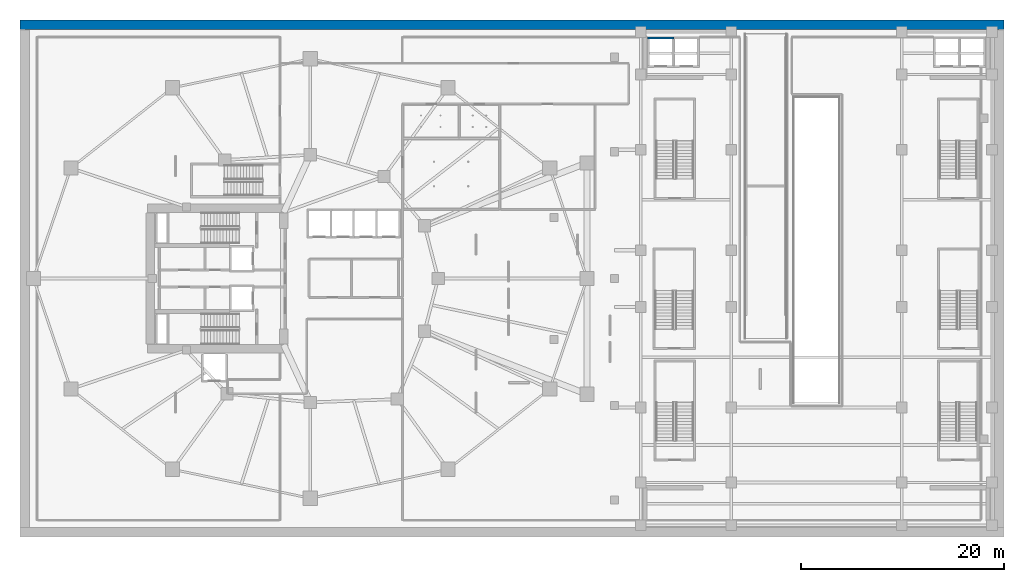
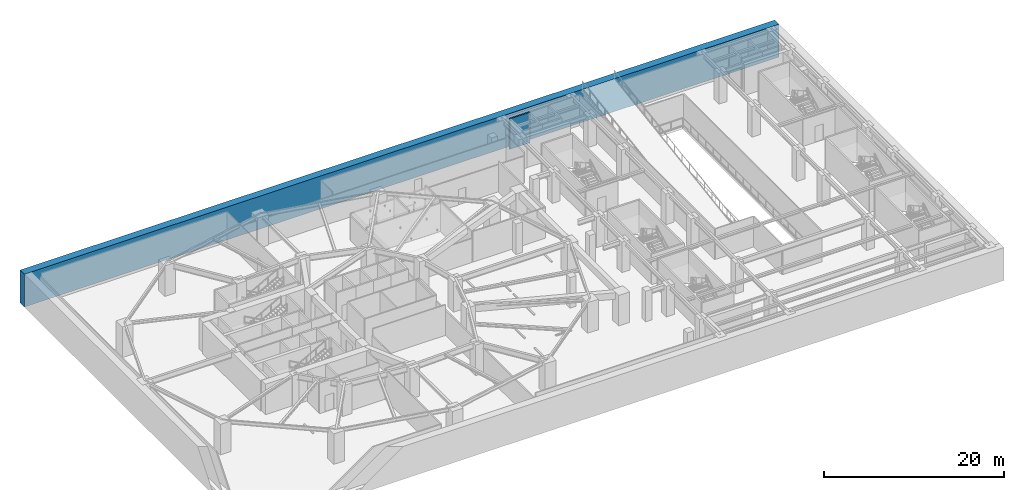
# One storey, part 8 of 16: 2 walls.
"""IFC4 building model written with IfcOpenShell, lengths in metres."""

import ifcopenshell
import ifcopenshell.guid

model = None  # the IFC model being written
_history = None  # IfcOwnerHistory: only IFC2X3 demands one
_inside = {}  # id of a spatial element -> (the spatial element, [elements in it])
_under = {}  # id of a project, library or spatial element -> (it, [spatial elements below it])
_declared = {}  # id of a project -> (the project, [libraries it declares])
_typed = {}  # id of a type object -> (the type object, [elements of that type])
_made_of = {}  # id of a material, layer set ... -> (it, [elements and type objects made of it])


def new_model(schema):
    """Start an empty IFC model of exactly this schema.

    Asked for "IFC4X3", IfcOpenShell would pick the latest addendum, in which some entities
    have other attributes; the version numbers below select the first issue.
    IFC2X3 requires an IfcOwnerHistory on every rooted entity: one is made here for all.
    """
    global model, _history
    if schema == "IFC4X3":
        model = ifcopenshell.file(schema_version=(4, 3, 0, 0))
    else:
        model = ifcopenshell.file(schema=schema)
    _inside.clear()
    _under.clear()
    _declared.clear()
    _typed.clear()
    _made_of.clear()
    _history = None
    if model.schema == "IFC2X3":
        org = make("IfcOrganization", Name="unknown")
        user = make(
            "IfcPersonAndOrganization",
            ThePerson=make("IfcPerson", FamilyName="unknown"),
            TheOrganization=org,
        )
        app = make(
            "IfcApplication",
            ApplicationDeveloper=org,
            Version="unknown",
            ApplicationFullName="unknown",
            ApplicationIdentifier="unknown",
        )
        _history = make(
            "IfcOwnerHistory",
            OwningUser=user,
            OwningApplication=app,
            ChangeAction="ADDED",
            CreationDate=0,
        )
    return model


def make(cls, **values):
    """One entity of the class cls with the attributes given. An attribute that is None is left unset."""
    return model.create_entity(
        cls, **{name: value for name, value in values.items() if value is not None}
    )


def rooted(cls, **values):
    """An entity with a GlobalId (a new one), such as an element, a storey or a relation."""
    return make(cls, GlobalId=ifcopenshell.guid.new(), OwnerHistory=_history, **values)


def si_unit(unit_type, name, prefix=None):
    """IfcSIUnit, for example si_unit("LENGTHUNIT", "METRE", prefix="MILLI")."""
    return make("IfcSIUnit", UnitType=unit_type, Prefix=prefix, Name=name)


def assignment(units):
    """IfcUnitAssignment: the units of a project."""
    return None if units is None else make("IfcUnitAssignment", Units=units)


def point(xyz):
    """IfcCartesianPoint."""
    return None if xyz is None else make("IfcCartesianPoint", Coordinates=xyz)


def direction(xyz):
    """IfcDirection."""
    return None if xyz is None else make("IfcDirection", DirectionRatios=xyz)


def frame(location, z_axis=None, x_axis=None):
    """IfcAxis2Placement3D, a coordinate frame: its origin and axes. An axis left out is left unset."""
    return make(
        "IfcAxis2Placement3D",
        Location=point(location),
        Axis=direction(z_axis),
        RefDirection=direction(x_axis),
    )


def frame_2d(location, x_axis=None):
    """IfcAxis2Placement2D, a coordinate frame in the plane: its origin and x axis."""
    return make(
        "IfcAxis2Placement2D", Location=point(location), RefDirection=direction(x_axis)
    )


def origin():
    """The frame at (0, 0, 0) with its axes left unset."""
    return frame((0.0, 0.0, 0.0))


def place(relative_to, where):
    """IfcLocalPlacement: puts the frame where relative to a parent placement (None: the world)."""
    return make(
        "IfcLocalPlacement", PlacementRelTo=relative_to, RelativePlacement=where
    )


def context(
    kind, dimensions, precision=None, world=None, true_north=None, identifier=None
):
    """IfcGeometricRepresentationContext, for example the 3D "Model" context."""
    return make(
        "IfcGeometricRepresentationContext",
        ContextIdentifier=identifier,
        ContextType=kind,
        CoordinateSpaceDimension=dimensions,
        Precision=precision,
        WorldCoordinateSystem=world,
        TrueNorth=true_north,
    )


def subcontext(parent, identifier, kind, view, scale=None):
    """IfcGeometricRepresentationSubContext, for example "Body" below "Model"."""
    return make(
        "IfcGeometricRepresentationSubContext",
        ContextIdentifier=identifier,
        ContextType=kind,
        ParentContext=parent,
        TargetScale=scale,
        TargetView=view,
    )


def project(units=None, contexts=None):
    """IfcProject with its units and contexts."""
    return rooted(
        "IfcProject",
        Name="project",
        RepresentationContexts=contexts,
        UnitsInContext=assignment(units),
    )


def spatial(cls, under=None, at=None, **own):
    """A site, building, storey or space (cls), placed at a placement, below another one or the project."""
    s = rooted(cls, ObjectPlacement=at, **own)
    if under is not None:
        _under.setdefault(under.id(), (under, []))[1].append(s)
    return s


def profile(cls, at=None, kind="AREA", **sizes):
    """A parametric profile (cls). Its sizes go by their IFC names, for example OverallWidth=200.0."""
    return make(cls, ProfileType=kind, Position=at, **sizes)


def rectangle(**sizes):
    """IfcRectangleProfileDef."""
    return profile("IfcRectangleProfileDef", **sizes)


def extrude(swept, where, along, depth):
    """IfcExtrudedAreaSolid: the profile swept, set in the frame where, extruded along a direction by depth."""
    return make(
        "IfcExtrudedAreaSolid",
        SweptArea=swept,
        Position=where,
        ExtrudedDirection=direction(along),
        Depth=depth,
    )


def shape(context_of_items, identifier, shape_type, items):
    """IfcShapeRepresentation: the items that make up one representation, for example the "Body"."""
    return make(
        "IfcShapeRepresentation",
        ContextOfItems=context_of_items,
        RepresentationIdentifier=identifier,
        RepresentationType=shape_type,
        Items=items,
    )


def material(Name=None, Category=None):
    """IfcMaterial."""
    return make("IfcMaterial", Name=Name, Category=Category)


def layer(
    of_material, thickness, ventilated=None, Name=None, Category=None, Priority=None
):
    """IfcMaterialLayer: one layer of a wall or slab, of a material (None: an air gap)."""
    return make(
        "IfcMaterialLayer",
        Material=of_material,
        LayerThickness=thickness,
        IsVentilated=ventilated,
        Name=Name,
        Category=Category,
        Priority=Priority,
    )


def layer_set(layers, Name=None):
    """IfcMaterialLayerSet."""
    return make("IfcMaterialLayerSet", MaterialLayers=layers, LayerSetName=Name)


def made_of(thing, what):
    """Note that an element or type object is made of a material, layer set ...; save() writes the relation."""
    if what is not None:
        _made_of.setdefault(what.id(), (what, []))[1].append(thing)
    return thing


def type_object(cls, material=None, **own):
    """A type object (cls), such as IfcWallType, which elements share."""
    return made_of(rooted(cls, **own), material)


def element(
    cls,
    number,
    at=None,
    inside=None,
    cuts=None,
    type_object=None,
    material=None,
    context=None,
    identifier="Body",
    shape_type=None,
    held_by="IfcProductDefinitionShape",
    body=None,
    shapes=None,
    **own,
):
    """One element of the class cls, such as IfcWall. Its Tag is "e" and its number.

    at: its placement. inside: the storey or other place that contains it. cuts: it is an
    opening in that element (IfcRelVoidsElement). A single representation is given by context,
    identifier, shape_type and body (its items); several are given by shapes. held_by: the class
    of the entity that holds the representations. save() writes the other relations.
    """
    e = rooted(cls, Tag="e%d" % number, ObjectPlacement=at, **own)
    if body is not None:
        shapes = [shape(context, identifier, shape_type, body)]
    if shapes is not None:
        e.Representation = make(held_by, Representations=shapes)
    if inside is not None:
        _inside.setdefault(inside.id(), (inside, []))[1].append(e)
    if cuts is not None:
        rooted(
            "IfcRelVoidsElement", RelatingBuildingElement=cuts, RelatedOpeningElement=e
        )
    if type_object is not None:
        _typed.setdefault(type_object.id(), (type_object, []))[1].append(e)
    return made_of(e, material)


def aggregate(whole, parts):
    """IfcRelAggregates: a whole, such as a stair, and the parts it consists of."""
    return rooted("IfcRelAggregates", RelatingObject=whole, RelatedObjects=parts)


def save(model, path):
    """Write the relations noted so far, then the file.

    IfcRelAggregates (storeys below a building ...), IfcRelContainedInSpatialStructure (elements
    in a storey), IfcRelDefinesByType, IfcRelAssociatesMaterial and IfcRelDeclares: one each for
    every whole, place, type object, material and project.
    """
    for whole, parts in _under.values():
        aggregate(whole, parts)
    for where, things in _inside.values():
        rooted(
            "IfcRelContainedInSpatialStructure",
            RelatedElements=things,
            RelatingStructure=where,
        )
    for kind, things in _typed.values():
        rooted("IfcRelDefinesByType", RelatedObjects=things, RelatingType=kind)
    for what, things in _made_of.values():
        rooted("IfcRelAssociatesMaterial", RelatedObjects=things, RelatingMaterial=what)
    for by, libraries in _declared.values():
        rooted("IfcRelDeclares", RelatingContext=by, RelatedDefinitions=libraries)
    model.write(path)


model = new_model("IFC4")

# Units and contexts
model_context = context("Model", 3, precision=1e-05, world=origin(), true_north=direction((0.0, 1.0)))
body_context = subcontext(model_context, "Body", "Model", "MODEL_VIEW")
ifc_project = project(units=[si_unit("LENGTHUNIT", "METRE"), si_unit("AREAUNIT", "SQUARE_METRE"), si_unit("VOLUMEUNIT", "CUBIC_METRE"), si_unit("PLANEANGLEUNIT", "RADIAN"), si_unit("MASSUNIT", "GRAM", prefix="KILO")], contexts=[model_context])

# Site, building, storey
site_placement = place(None, origin())
site = spatial("IfcSite", under=ifc_project, at=site_placement, CompositionType="ELEMENT")
building_placement = place(site_placement, origin())
building = spatial("IfcBuilding", under=site, at=building_placement, Name="Kolvaren Gate Tower and Convention Centre", CompositionType="ELEMENT")
storey_placement = place(building_placement, frame((0.0, 0.0, -4.5)))
storey = spatial("IfcBuildingStorey", under=building, at=storey_placement, Name="B1", CompositionType="ELEMENT", Elevation=-4.5)

# Walls
ifc_material_1 = material(Name="Autoclaved Aerated Masonry Blockwork Class 4 (4.0 MPa)", Category="masonry")
ifc_layer_1 = layer(ifc_material_1, 0.199951171875)
ifc_layer_set_1 = layer_set([ifc_layer_1], Name="Autoclaved Aerated Masonry Blockwork Class 4 (4.0 MPa)")
wall_type_1 = type_object("IfcWallType", Name="ARCH-WL-SHAFT-200", PredefinedType="SOLIDWALL", material=ifc_layer_set_1)
wall_1_placement = place(storey_placement, frame((63.35009765625, 50.699951171875, 0.0), z_axis=(0.0, 0.0, 1.0), x_axis=(1.0, 0.0, 0.0)))
element("IfcWall", 1, at=wall_1_placement, inside=storey, type_object=wall_type_1, Name="Elevator CL-01 B1 Fire Shaft Wall N", PredefinedType="SOLIDWALL", context=body_context, shape_type="SweptSolid", body=[
    extrude(rectangle(XDim=2.599853515625, YDim=0.199951171875, at=frame_2d((1.2998046875, 0.0))), origin(), (0.0, 0.0, 1.0), 4.139892578125),
])
ifc_material_2 = material(Name="Concrete C50/60", Category="concrete")
ifc_layer_2 = layer(ifc_material_2, 0.949951171875)
ifc_layer_set_2 = layer_set([ifc_layer_2], Name="Concrete C50/60")
wall_type_2 = type_object("IfcWallType", Name="STR-WL-DIAPH-950", PredefinedType="USERDEFINED", material=ifc_layer_set_2)
wall_2_placement = place(storey_placement, frame((1.52490234375, 52.0, -0.320068359375), z_axis=(0.0, 0.0, 1.0), x_axis=(1.0, 0.0, 0.0)))
element("IfcWall", 2, at=wall_2_placement, inside=storey, type_object=wall_type_2, Name="Basement B1 N Perimeter Diaphragm Wall", ObjectType="RETAINING WALL", PredefinedType="USERDEFINED", context=body_context, shape_type="SweptSolid", body=[
    extrude(rectangle(XDim=96.9501953125, YDim=0.949951171875, at=frame_2d((48.47509765625, 0.0))), origin(), (0.0, 0.0, 1.0), 4.4599609375),
])

save(model, "model.ifc")
